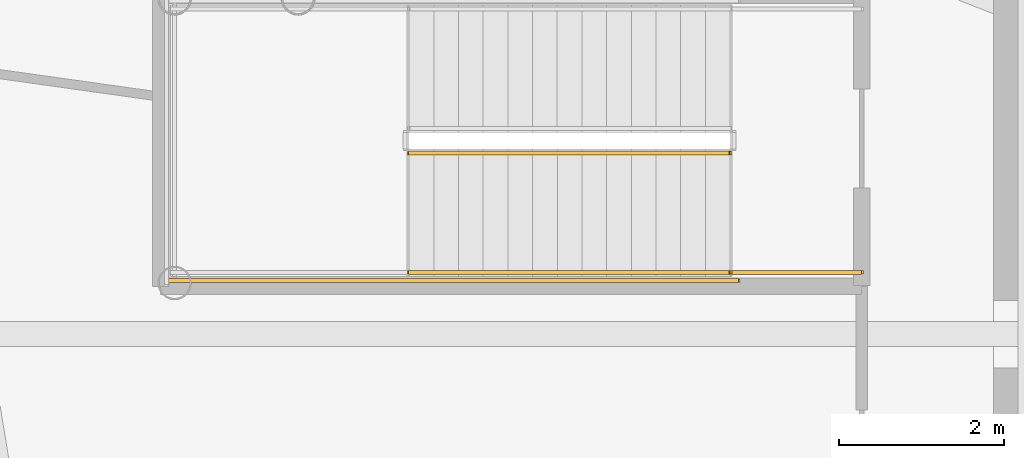
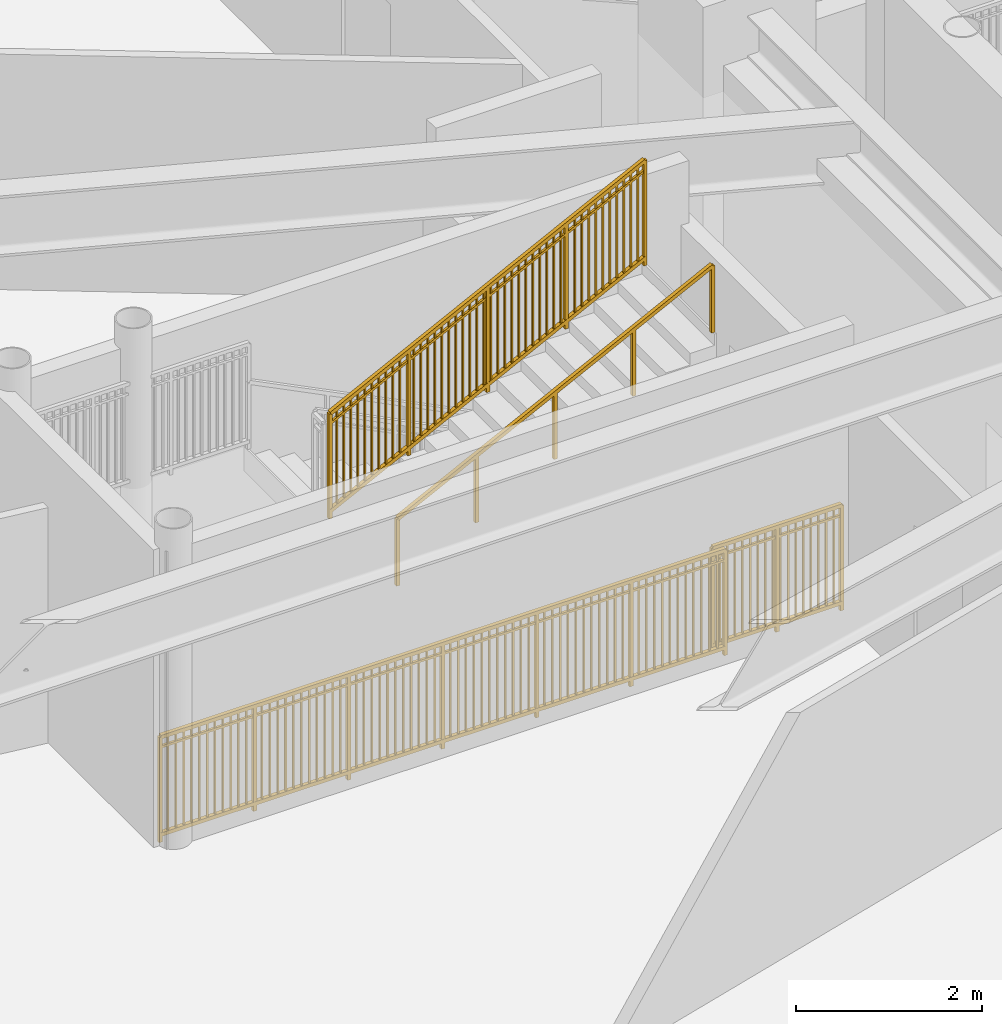
# One storey, part 19 of 27: 4 railings.
"""IFC4 building model written with IfcOpenShell, lengths in metres."""

from ifc_helpers import new_model, si_unit, direction, frame, origin, origin_2d, place, context, subcontext, project, spatial, rectangle, extrude, source, transform, mapped, material, type_object, element, save


model = new_model("IFC4")

# Units and contexts
model_context = context("Model", 3, precision=1e-05, world=origin(), true_north=direction((0.0, 1.0)))
body_context = subcontext(model_context, "Body", "Model", "MODEL_VIEW")
ifc_project = project(units=[si_unit("LENGTHUNIT", "METRE"), si_unit("AREAUNIT", "SQUARE_METRE"), si_unit("VOLUMEUNIT", "CUBIC_METRE"), si_unit("PLANEANGLEUNIT", "RADIAN"), si_unit("MASSUNIT", "GRAM", prefix="KILO")], contexts=[model_context])

# Site, building, storey
site_placement = place(None, origin())
site = spatial("IfcSite", under=ifc_project, at=site_placement, CompositionType="ELEMENT")
building_placement = place(site_placement, origin())
building = spatial("IfcBuilding", under=site, at=building_placement, Name="Linh Dai School and Residence Tower", CompositionType="ELEMENT")
storey_placement = place(building_placement, frame((0.0, 0.0, 14.39990234375)))
storey = spatial("IfcBuildingStorey", under=building, at=storey_placement, Name="L03", CompositionType="ELEMENT", Elevation=14.39990234375)

# Railings
ifc_material_1 = material(Name="Structural Steel S355JR", Category="steel")
railing_type_1 = type_object("IfcRailingType", Name="RL-ST-GUARD-1400", PredefinedType="GUARDRAIL", material=ifc_material_1)
shared_shape_1 = source(origin(), body_context, "Body", "SweptSolid", [
    extrude(rectangle(XDim=0.048095703125, YDim=0.048095703125, at=origin_2d()), frame((0.0, 0.0, 1.3759765625), z_axis=(-1.0, 0.0, 0.0), x_axis=(0.0, -1.0, 0.0)), (0.0, 0.0, 1.0), 1.60009765625),
    extrude(rectangle(XDim=0.048095703125, YDim=0.048095703125, at=origin_2d()), frame((0.0, 0.0, 0.10009765625), z_axis=(-1.0, 0.0, 0.0), x_axis=(0.0, -1.0, 0.0)), (0.0, 0.0, 1.0), 1.60009765625),
    extrude(rectangle(XDim=0.030029296875, YDim=0.030029296875, at=origin_2d()), frame((0.0, 0.0, 1.239990234375), z_axis=(-1.0, 0.0, 0.0), x_axis=(0.0, -1.0, 0.0)), (0.0, 0.0, 1.0), 1.60009765625),
    extrude(rectangle(XDim=0.02001953125, YDim=0.02001953125, at=origin_2d()), frame((-0.09423828125, 0.0, 0.10009765625)), (0.0, 0.0, 1.0), 1.251708984375),
    extrude(rectangle(XDim=0.02001953125, YDim=0.02001953125, at=origin_2d()), frame((-0.188232421875, 0.0, 0.10009765625)), (0.0, 0.0, 1.0), 1.251708984375),
    extrude(rectangle(XDim=0.02001953125, YDim=0.02001953125, at=origin_2d()), frame((-0.282470703125, 0.0, 0.10009765625)), (0.0, 0.0, 1.0), 1.251708984375),
    extrude(rectangle(XDim=0.02001953125, YDim=0.02001953125, at=origin_2d()), frame((-0.37646484375, 0.0, 0.10009765625)), (0.0, 0.0, 1.0), 1.251708984375),
    extrude(rectangle(XDim=0.02001953125, YDim=0.02001953125, at=origin_2d()), frame((-0.470703125, 0.0, 0.10009765625)), (0.0, 0.0, 1.0), 1.251708984375),
    extrude(rectangle(XDim=0.02001953125, YDim=0.02001953125, at=origin_2d()), frame((-0.564697265625, 0.0, 0.10009765625)), (0.0, 0.0, 1.0), 1.251708984375),
    extrude(rectangle(XDim=0.02001953125, YDim=0.02001953125, at=origin_2d()), frame((-0.658935546875, 0.0, 0.10009765625)), (0.0, 0.0, 1.0), 1.251708984375),
    extrude(rectangle(XDim=0.02001953125, YDim=0.02001953125, at=origin_2d()), frame((-0.7529296875, 0.0, 0.10009765625)), (0.0, 0.0, 1.0), 1.251708984375),
    extrude(rectangle(XDim=0.02001953125, YDim=0.02001953125, at=origin_2d()), frame((-0.84716796875, 0.0, 0.10009765625)), (0.0, 0.0, 1.0), 1.251708984375),
    extrude(rectangle(XDim=0.02001953125, YDim=0.02001953125, at=origin_2d()), frame((-0.941162109375, 0.0, 0.10009765625)), (0.0, 0.0, 1.0), 1.251708984375),
    extrude(rectangle(XDim=0.02001953125, YDim=0.02001953125, at=origin_2d()), frame((-1.035400390625, 0.0, 0.10009765625)), (0.0, 0.0, 1.0), 1.251708984375),
    extrude(rectangle(XDim=0.02001953125, YDim=0.02001953125, at=origin_2d()), frame((-1.12939453125, 0.0, 0.10009765625)), (0.0, 0.0, 1.0), 1.251708984375),
    extrude(rectangle(XDim=0.02001953125, YDim=0.02001953125, at=origin_2d()), frame((-1.2236328125, 0.0, 0.10009765625)), (0.0, 0.0, 1.0), 1.251708984375),
    extrude(rectangle(XDim=0.02001953125, YDim=0.02001953125, at=origin_2d()), frame((-1.317626953125, 0.0, 0.10009765625)), (0.0, 0.0, 1.0), 1.251708984375),
    extrude(rectangle(XDim=0.02001953125, YDim=0.02001953125, at=origin_2d()), frame((-1.411865234375, 0.0, 0.10009765625)), (0.0, 0.0, 1.0), 1.251708984375),
    extrude(rectangle(XDim=0.02001953125, YDim=0.02001953125, at=origin_2d()), frame((-1.505859375, 0.0, 0.10009765625)), (0.0, 0.0, 1.0), 1.251708984375),
    extrude(rectangle(XDim=0.0419921875, YDim=0.0419921875, at=origin_2d()), origin(), (0.0, 0.0, 1.0), 1.3759765625),
    extrude(rectangle(XDim=0.0419921875, YDim=0.0419921875, at=origin_2d()), frame((-0.800048828125, 0.0, 0.0)), (0.0, 0.0, 1.0), 1.3759765625),
    extrude(rectangle(XDim=0.0419921875, YDim=0.0419921875, at=origin_2d()), frame((-1.60009765625, 0.0, 0.0)), (0.0, 0.0, 1.0), 1.3759765625),
])
railing_1_placement = place(storey_placement, frame((24.0, 27.75, 0.0)))
element("IfcRailing", 1, at=railing_1_placement, inside=storey, type_object=railing_type_1, Name="L03 STS1 stair guard 9", PredefinedType="GUARDRAIL", context=body_context, shape_type="MappedRepresentation", body=[
    mapped(shared_shape_1, transform((0.0, 0.0, 0.0), x_axis=(1.0, 0.0, 0.0), y_axis=(0.0, 1.0, 0.0), z_axis=(0.0, 0.0, 1.0), scale=1.0)),
])
shared_shape_2 = source(origin(), body_context, "Body", "SweptSolid", [
    extrude(rectangle(XDim=0.048095703125, YDim=0.048095703125, at=origin_2d()), frame((0.0, 0.0, 1.3759765625), z_axis=(-1.0, 0.0, 0.0), x_axis=(0.0, -1.0, 0.0)), (0.0, 0.0, 1.0), 7.0),
    extrude(rectangle(XDim=0.048095703125, YDim=0.048095703125, at=origin_2d()), frame((0.0, 0.0, 0.10009765625), z_axis=(-1.0, 0.0, 0.0), x_axis=(0.0, -1.0, 0.0)), (0.0, 0.0, 1.0), 7.0),
    extrude(rectangle(XDim=0.030029296875, YDim=0.030029296875, at=origin_2d()), frame((0.0, 0.0, 1.239990234375), z_axis=(-1.0, 0.0, 0.0), x_axis=(0.0, -1.0, 0.0)), (0.0, 0.0, 1.0), 7.0),
    extrude(rectangle(XDim=0.02001953125, YDim=0.02001953125, at=origin_2d()), frame((-0.09716796875, 0.0, 0.10009765625)), (0.0, 0.0, 1.0), 1.251708984375),
    extrude(rectangle(XDim=0.02001953125, YDim=0.02001953125, at=origin_2d()), frame((-0.1943359375, 0.0, 0.10009765625)), (0.0, 0.0, 1.0), 1.251708984375),
    extrude(rectangle(XDim=0.02001953125, YDim=0.02001953125, at=origin_2d()), frame((-0.291748046875, 0.0, 0.10009765625)), (0.0, 0.0, 1.0), 1.251708984375),
    extrude(rectangle(XDim=0.02001953125, YDim=0.02001953125, at=origin_2d()), frame((-0.388916015625, 0.0, 0.10009765625)), (0.0, 0.0, 1.0), 1.251708984375),
    extrude(rectangle(XDim=0.02001953125, YDim=0.02001953125, at=origin_2d()), frame((-0.486083984375, 0.0, 0.10009765625)), (0.0, 0.0, 1.0), 1.251708984375),
    extrude(rectangle(XDim=0.02001953125, YDim=0.02001953125, at=origin_2d()), frame((-0.583251953125, 0.0, 0.10009765625)), (0.0, 0.0, 1.0), 1.251708984375),
    extrude(rectangle(XDim=0.02001953125, YDim=0.02001953125, at=origin_2d()), frame((-0.6806640625, 0.0, 0.10009765625)), (0.0, 0.0, 1.0), 1.251708984375),
    extrude(rectangle(XDim=0.02001953125, YDim=0.02001953125, at=origin_2d()), frame((-0.77783203125, 0.0, 0.10009765625)), (0.0, 0.0, 1.0), 1.251708984375),
    extrude(rectangle(XDim=0.02001953125, YDim=0.02001953125, at=origin_2d()), frame((-0.875, 0.0, 0.10009765625)), (0.0, 0.0, 1.0), 1.251708984375),
    extrude(rectangle(XDim=0.02001953125, YDim=0.02001953125, at=origin_2d()), frame((-0.97216796875, 0.0, 0.10009765625)), (0.0, 0.0, 1.0), 1.251708984375),
    extrude(rectangle(XDim=0.02001953125, YDim=0.02001953125, at=origin_2d()), frame((-1.0693359375, 0.0, 0.10009765625)), (0.0, 0.0, 1.0), 1.251708984375),
    extrude(rectangle(XDim=0.02001953125, YDim=0.02001953125, at=origin_2d()), frame((-1.263916015625, 0.0, 0.10009765625)), (0.0, 0.0, 1.0), 1.251708984375),
    extrude(rectangle(XDim=0.02001953125, YDim=0.02001953125, at=origin_2d()), frame((-1.361083984375, 0.0, 0.10009765625)), (0.0, 0.0, 1.0), 1.251708984375),
    extrude(rectangle(XDim=0.02001953125, YDim=0.02001953125, at=origin_2d()), frame((-1.458251953125, 0.0, 0.10009765625)), (0.0, 0.0, 1.0), 1.251708984375),
    extrude(rectangle(XDim=0.02001953125, YDim=0.02001953125, at=origin_2d()), frame((-1.5556640625, 0.0, 0.10009765625)), (0.0, 0.0, 1.0), 1.251708984375),
    extrude(rectangle(XDim=0.02001953125, YDim=0.02001953125, at=origin_2d()), frame((-1.65283203125, 0.0, 0.10009765625)), (0.0, 0.0, 1.0), 1.251708984375),
    extrude(rectangle(XDim=0.02001953125, YDim=0.02001953125, at=origin_2d()), frame((-1.75, 0.0, 0.10009765625)), (0.0, 0.0, 1.0), 1.251708984375),
    extrude(rectangle(XDim=0.02001953125, YDim=0.02001953125, at=origin_2d()), frame((-1.84716796875, 0.0, 0.10009765625)), (0.0, 0.0, 1.0), 1.251708984375),
    extrude(rectangle(XDim=0.02001953125, YDim=0.02001953125, at=origin_2d()), frame((-1.9443359375, 0.0, 0.10009765625)), (0.0, 0.0, 1.0), 1.251708984375),
    extrude(rectangle(XDim=0.02001953125, YDim=0.02001953125, at=origin_2d()), frame((-2.041748046875, 0.0, 0.10009765625)), (0.0, 0.0, 1.0), 1.251708984375),
    extrude(rectangle(XDim=0.02001953125, YDim=0.02001953125, at=origin_2d()), frame((-2.138916015625, 0.0, 0.10009765625)), (0.0, 0.0, 1.0), 1.251708984375),
    extrude(rectangle(XDim=0.02001953125, YDim=0.02001953125, at=origin_2d()), frame((-2.236083984375, 0.0, 0.10009765625)), (0.0, 0.0, 1.0), 1.251708984375),
    extrude(rectangle(XDim=0.02001953125, YDim=0.02001953125, at=origin_2d()), frame((-2.4306640625, 0.0, 0.10009765625)), (0.0, 0.0, 1.0), 1.251708984375),
    extrude(rectangle(XDim=0.02001953125, YDim=0.02001953125, at=origin_2d()), frame((-2.52783203125, 0.0, 0.10009765625)), (0.0, 0.0, 1.0), 1.251708984375),
    extrude(rectangle(XDim=0.02001953125, YDim=0.02001953125, at=origin_2d()), frame((-2.625, 0.0, 0.10009765625)), (0.0, 0.0, 1.0), 1.251708984375),
    extrude(rectangle(XDim=0.02001953125, YDim=0.02001953125, at=origin_2d()), frame((-2.72216796875, 0.0, 0.10009765625)), (0.0, 0.0, 1.0), 1.251708984375),
    extrude(rectangle(XDim=0.02001953125, YDim=0.02001953125, at=origin_2d()), frame((-2.8193359375, 0.0, 0.10009765625)), (0.0, 0.0, 1.0), 1.251708984375),
    extrude(rectangle(XDim=0.02001953125, YDim=0.02001953125, at=origin_2d()), frame((-2.916748046875, 0.0, 0.10009765625)), (0.0, 0.0, 1.0), 1.251708984375),
    extrude(rectangle(XDim=0.02001953125, YDim=0.02001953125, at=origin_2d()), frame((-3.013916015625, 0.0, 0.10009765625)), (0.0, 0.0, 1.0), 1.251708984375),
    extrude(rectangle(XDim=0.02001953125, YDim=0.02001953125, at=origin_2d()), frame((-3.111083984375, 0.0, 0.10009765625)), (0.0, 0.0, 1.0), 1.251708984375),
    extrude(rectangle(XDim=0.02001953125, YDim=0.02001953125, at=origin_2d()), frame((-3.208251953125, 0.0, 0.10009765625)), (0.0, 0.0, 1.0), 1.251708984375),
    extrude(rectangle(XDim=0.02001953125, YDim=0.02001953125, at=origin_2d()), frame((-3.3056640625, 0.0, 0.10009765625)), (0.0, 0.0, 1.0), 1.251708984375),
    extrude(rectangle(XDim=0.02001953125, YDim=0.02001953125, at=origin_2d()), frame((-3.40283203125, 0.0, 0.10009765625)), (0.0, 0.0, 1.0), 1.251708984375),
    extrude(rectangle(XDim=0.02001953125, YDim=0.02001953125, at=origin_2d()), frame((-3.59716796875, 0.0, 0.10009765625)), (0.0, 0.0, 1.0), 1.251708984375),
    extrude(rectangle(XDim=0.02001953125, YDim=0.02001953125, at=origin_2d()), frame((-3.6943359375, 0.0, 0.10009765625)), (0.0, 0.0, 1.0), 1.251708984375),
    extrude(rectangle(XDim=0.02001953125, YDim=0.02001953125, at=origin_2d()), frame((-3.791748046875, 0.0, 0.10009765625)), (0.0, 0.0, 1.0), 1.251708984375),
    extrude(rectangle(XDim=0.02001953125, YDim=0.02001953125, at=origin_2d()), frame((-3.888916015625, 0.0, 0.10009765625)), (0.0, 0.0, 1.0), 1.251708984375),
    extrude(rectangle(XDim=0.02001953125, YDim=0.02001953125, at=origin_2d()), frame((-3.986083984375, 0.0, 0.10009765625)), (0.0, 0.0, 1.0), 1.251708984375),
    extrude(rectangle(XDim=0.02001953125, YDim=0.02001953125, at=origin_2d()), frame((-4.083251953125, 0.0, 0.10009765625)), (0.0, 0.0, 1.0), 1.251708984375),
    extrude(rectangle(XDim=0.02001953125, YDim=0.02001953125, at=origin_2d()), frame((-4.1806640625, 0.0, 0.10009765625)), (0.0, 0.0, 1.0), 1.251708984375),
    extrude(rectangle(XDim=0.02001953125, YDim=0.02001953125, at=origin_2d()), frame((-4.27783203125, 0.0, 0.10009765625)), (0.0, 0.0, 1.0), 1.251708984375),
    extrude(rectangle(XDim=0.02001953125, YDim=0.02001953125, at=origin_2d()), frame((-4.375, 0.0, 0.10009765625)), (0.0, 0.0, 1.0), 1.251708984375),
    extrude(rectangle(XDim=0.02001953125, YDim=0.02001953125, at=origin_2d()), frame((-4.47216796875, 0.0, 0.10009765625)), (0.0, 0.0, 1.0), 1.251708984375),
    extrude(rectangle(XDim=0.02001953125, YDim=0.02001953125, at=origin_2d()), frame((-4.5693359375, 0.0, 0.10009765625)), (0.0, 0.0, 1.0), 1.251708984375),
    extrude(rectangle(XDim=0.02001953125, YDim=0.02001953125, at=origin_2d()), frame((-4.763916015625, 0.0, 0.10009765625)), (0.0, 0.0, 1.0), 1.251708984375),
    extrude(rectangle(XDim=0.02001953125, YDim=0.02001953125, at=origin_2d()), frame((-4.861083984375, 0.0, 0.10009765625)), (0.0, 0.0, 1.0), 1.251708984375),
    extrude(rectangle(XDim=0.02001953125, YDim=0.02001953125, at=origin_2d()), frame((-4.958251953125, 0.0, 0.10009765625)), (0.0, 0.0, 1.0), 1.251708984375),
    extrude(rectangle(XDim=0.02001953125, YDim=0.02001953125, at=origin_2d()), frame((-5.0556640625, 0.0, 0.10009765625)), (0.0, 0.0, 1.0), 1.251708984375),
    extrude(rectangle(XDim=0.02001953125, YDim=0.02001953125, at=origin_2d()), frame((-5.15283203125, 0.0, 0.10009765625)), (0.0, 0.0, 1.0), 1.251708984375),
    extrude(rectangle(XDim=0.02001953125, YDim=0.02001953125, at=origin_2d()), frame((-5.25, 0.0, 0.10009765625)), (0.0, 0.0, 1.0), 1.251708984375),
    extrude(rectangle(XDim=0.02001953125, YDim=0.02001953125, at=origin_2d()), frame((-5.34716796875, 0.0, 0.10009765625)), (0.0, 0.0, 1.0), 1.251708984375),
    extrude(rectangle(XDim=0.02001953125, YDim=0.02001953125, at=origin_2d()), frame((-5.4443359375, 0.0, 0.10009765625)), (0.0, 0.0, 1.0), 1.251708984375),
    extrude(rectangle(XDim=0.02001953125, YDim=0.02001953125, at=origin_2d()), frame((-5.541748046875, 0.0, 0.10009765625)), (0.0, 0.0, 1.0), 1.251708984375),
    extrude(rectangle(XDim=0.02001953125, YDim=0.02001953125, at=origin_2d()), frame((-5.638916015625, 0.0, 0.10009765625)), (0.0, 0.0, 1.0), 1.251708984375),
    extrude(rectangle(XDim=0.02001953125, YDim=0.02001953125, at=origin_2d()), frame((-5.736083984375, 0.0, 0.10009765625)), (0.0, 0.0, 1.0), 1.251708984375),
    extrude(rectangle(XDim=0.02001953125, YDim=0.02001953125, at=origin_2d()), frame((-5.9306640625, 0.0, 0.10009765625)), (0.0, 0.0, 1.0), 1.251708984375),
    extrude(rectangle(XDim=0.02001953125, YDim=0.02001953125, at=origin_2d()), frame((-6.02783203125, 0.0, 0.10009765625)), (0.0, 0.0, 1.0), 1.251708984375),
    extrude(rectangle(XDim=0.02001953125, YDim=0.02001953125, at=origin_2d()), frame((-6.125, 0.0, 0.10009765625)), (0.0, 0.0, 1.0), 1.251708984375),
    extrude(rectangle(XDim=0.02001953125, YDim=0.02001953125, at=origin_2d()), frame((-6.22216796875, 0.0, 0.10009765625)), (0.0, 0.0, 1.0), 1.251708984375),
    extrude(rectangle(XDim=0.02001953125, YDim=0.02001953125, at=origin_2d()), frame((-6.3193359375, 0.0, 0.10009765625)), (0.0, 0.0, 1.0), 1.251708984375),
    extrude(rectangle(XDim=0.02001953125, YDim=0.02001953125, at=origin_2d()), frame((-6.416748046875, 0.0, 0.10009765625)), (0.0, 0.0, 1.0), 1.251708984375),
    extrude(rectangle(XDim=0.02001953125, YDim=0.02001953125, at=origin_2d()), frame((-6.513916015625, 0.0, 0.10009765625)), (0.0, 0.0, 1.0), 1.251708984375),
    extrude(rectangle(XDim=0.02001953125, YDim=0.02001953125, at=origin_2d()), frame((-6.611083984375, 0.0, 0.10009765625)), (0.0, 0.0, 1.0), 1.251708984375),
    extrude(rectangle(XDim=0.02001953125, YDim=0.02001953125, at=origin_2d()), frame((-6.708251953125, 0.0, 0.10009765625)), (0.0, 0.0, 1.0), 1.251708984375),
    extrude(rectangle(XDim=0.02001953125, YDim=0.02001953125, at=origin_2d()), frame((-6.8056640625, 0.0, 0.10009765625)), (0.0, 0.0, 1.0), 1.251708984375),
    extrude(rectangle(XDim=0.02001953125, YDim=0.02001953125, at=origin_2d()), frame((-6.90283203125, 0.0, 0.10009765625)), (0.0, 0.0, 1.0), 1.251708984375),
    extrude(rectangle(XDim=0.0419921875, YDim=0.0419921875, at=origin_2d()), origin(), (0.0, 0.0, 1.0), 1.3759765625),
    extrude(rectangle(XDim=0.0419921875, YDim=0.0419921875, at=origin_2d()), frame((-1.166748046875, 0.0, 0.0)), (0.0, 0.0, 1.0), 1.3759765625),
    extrude(rectangle(XDim=0.0419921875, YDim=0.0419921875, at=origin_2d()), frame((-2.333251953125, 0.0, 0.0)), (0.0, 0.0, 1.0), 1.3759765625),
    extrude(rectangle(XDim=0.0419921875, YDim=0.0419921875, at=origin_2d()), frame((-3.5, 0.0, 0.0)), (0.0, 0.0, 1.0), 1.3759765625),
    extrude(rectangle(XDim=0.0419921875, YDim=0.0419921875, at=origin_2d()), frame((-4.666748046875, 0.0, 0.0)), (0.0, 0.0, 1.0), 1.3759765625),
    extrude(rectangle(XDim=0.0419921875, YDim=0.0419921875, at=origin_2d()), frame((-5.833251953125, 0.0, 0.0)), (0.0, 0.0, 1.0), 1.3759765625),
    extrude(rectangle(XDim=0.0419921875, YDim=0.0419921875, at=origin_2d()), frame((-7.0, 0.0, 0.0)), (0.0, 0.0, 1.0), 1.3759765625),
])
railing_2_placement = place(storey_placement, frame((22.5, 27.64990234375, 0.0)))
element("IfcRailing", 2, at=railing_2_placement, inside=storey, type_object=railing_type_1, Name="L03 STS1 stair guard 11", PredefinedType="GUARDRAIL", context=body_context, shape_type="MappedRepresentation", body=[
    mapped(shared_shape_2, transform((0.0, 0.0, 0.0), x_axis=(1.0, 0.0, 0.0), y_axis=(0.0, 1.0, 0.0), z_axis=(0.0, 0.0, 1.0), scale=1.0)),
])
shared_shape_3 = source(origin(), body_context, "Body", "SweptSolid", [
    extrude(rectangle(XDim=0.048095703125, YDim=0.048095703125, at=origin_2d()), frame((0.0, 0.0, 1.3759765625), z_axis=(0.894404793364, 0.0, 0.447258387967), x_axis=(0.0, 1.0, 0.0)), (0.0, 0.0, 1.0), 4.3603515625),
    extrude(rectangle(XDim=0.048095703125, YDim=0.048095703125, at=origin_2d()), frame((0.0, 0.0, 0.10009765625), z_axis=(0.894404793364, 0.0, 0.447258387967), x_axis=(0.0, 1.0, 0.0)), (0.0, 0.0, 1.0), 4.3603515625),
    extrude(rectangle(XDim=0.030029296875, YDim=0.030029296875, at=origin_2d()), frame((0.0, 0.0, 1.239990234375), z_axis=(0.894404793364, 0.0, 0.447258387967), x_axis=(0.0, 1.0, 0.0)), (0.0, 0.0, 1.0), 4.3603515625),
    extrude(rectangle(XDim=0.02001953125, YDim=0.02001953125, at=origin_2d()), frame((0.086669921875, 0.0, 0.1435546875)), (0.0, 0.0, 1.0), 1.251708984375),
    extrude(rectangle(XDim=0.02001953125, YDim=0.02001953125, at=origin_2d()), frame((0.17333984375, 0.0, 0.186767578125)), (0.0, 0.0, 1.0), 1.251708984375),
    extrude(rectangle(XDim=0.02001953125, YDim=0.02001953125, at=origin_2d()), frame((0.260009765625, 0.0, 0.230224609375)), (0.0, 0.0, 1.0), 1.251708984375),
    extrude(rectangle(XDim=0.02001953125, YDim=0.02001953125, at=origin_2d()), frame((0.3466796875, 0.0, 0.2734375)), (0.0, 0.0, 1.0), 1.251708984375),
    extrude(rectangle(XDim=0.02001953125, YDim=0.02001953125, at=origin_2d()), frame((0.433349609375, 0.0, 0.31689453125)), (0.0, 0.0, 1.0), 1.251708984375),
    extrude(rectangle(XDim=0.02001953125, YDim=0.02001953125, at=origin_2d()), frame((0.52001953125, 0.0, 0.360107421875)), (0.0, 0.0, 1.0), 1.251708984375),
    extrude(rectangle(XDim=0.02001953125, YDim=0.02001953125, at=origin_2d()), frame((0.606689453125, 0.0, 0.403564453125)), (0.0, 0.0, 1.0), 1.251708984375),
    extrude(rectangle(XDim=0.02001953125, YDim=0.02001953125, at=origin_2d()), frame((0.693359375, 0.0, 0.44677734375)), (0.0, 0.0, 1.0), 1.251708984375),
    extrude(rectangle(XDim=0.02001953125, YDim=0.02001953125, at=origin_2d()), frame((0.780029296875, 0.0, 0.490234375)), (0.0, 0.0, 1.0), 1.251708984375),
    extrude(rectangle(XDim=0.02001953125, YDim=0.02001953125, at=origin_2d()), frame((0.86669921875, 0.0, 0.533447265625)), (0.0, 0.0, 1.0), 1.251708984375),
    extrude(rectangle(XDim=0.02001953125, YDim=0.02001953125, at=origin_2d()), frame((1.0400390625, 0.0, 0.6201171875)), (0.0, 0.0, 1.0), 1.251708984375),
    extrude(rectangle(XDim=0.02001953125, YDim=0.02001953125, at=origin_2d()), frame((1.126708984375, 0.0, 0.66357421875)), (0.0, 0.0, 1.0), 1.251708984375),
    extrude(rectangle(XDim=0.02001953125, YDim=0.02001953125, at=origin_2d()), frame((1.21337890625, 0.0, 0.706787109375)), (0.0, 0.0, 1.0), 1.251708984375),
    extrude(rectangle(XDim=0.02001953125, YDim=0.02001953125, at=origin_2d()), frame((1.300048828125, 0.0, 0.750244140625)), (0.0, 0.0, 1.0), 1.251708984375),
    extrude(rectangle(XDim=0.02001953125, YDim=0.02001953125, at=origin_2d()), frame((1.38671875, 0.0, 0.79345703125)), (0.0, 0.0, 1.0), 1.251708984375),
    extrude(rectangle(XDim=0.02001953125, YDim=0.02001953125, at=origin_2d()), frame((1.473388671875, 0.0, 0.8369140625)), (0.0, 0.0, 1.0), 1.251708984375),
    extrude(rectangle(XDim=0.02001953125, YDim=0.02001953125, at=origin_2d()), frame((1.56005859375, 0.0, 0.880126953125)), (0.0, 0.0, 1.0), 1.251708984375),
    extrude(rectangle(XDim=0.02001953125, YDim=0.02001953125, at=origin_2d()), frame((1.646728515625, 0.0, 0.923583984375)), (0.0, 0.0, 1.0), 1.251708984375),
    extrude(rectangle(XDim=0.02001953125, YDim=0.02001953125, at=origin_2d()), frame((1.7333984375, 0.0, 0.966796875)), (0.0, 0.0, 1.0), 1.251708984375),
    extrude(rectangle(XDim=0.02001953125, YDim=0.02001953125, at=origin_2d()), frame((1.820068359375, 0.0, 1.01025390625)), (0.0, 0.0, 1.0), 1.251708984375),
    extrude(rectangle(XDim=0.02001953125, YDim=0.02001953125, at=origin_2d()), frame((1.90673828125, 0.0, 1.053466796875)), (0.0, 0.0, 1.0), 1.251708984375),
    extrude(rectangle(XDim=0.02001953125, YDim=0.02001953125, at=origin_2d()), frame((1.9931640625, 0.0, 1.096923828125)), (0.0, 0.0, 1.0), 1.251708984375),
    extrude(rectangle(XDim=0.02001953125, YDim=0.02001953125, at=origin_2d()), frame((2.079833984375, 0.0, 1.14013671875)), (0.0, 0.0, 1.0), 1.251708984375),
    extrude(rectangle(XDim=0.02001953125, YDim=0.02001953125, at=origin_2d()), frame((2.16650390625, 0.0, 1.18359375)), (0.0, 0.0, 1.0), 1.251708984375),
    extrude(rectangle(XDim=0.02001953125, YDim=0.02001953125, at=origin_2d()), frame((2.253173828125, 0.0, 1.226806640625)), (0.0, 0.0, 1.0), 1.251708984375),
    extrude(rectangle(XDim=0.02001953125, YDim=0.02001953125, at=origin_2d()), frame((2.33984375, 0.0, 1.270263671875)), (0.0, 0.0, 1.0), 1.251708984375),
    extrude(rectangle(XDim=0.02001953125, YDim=0.02001953125, at=origin_2d()), frame((2.426513671875, 0.0, 1.3134765625)), (0.0, 0.0, 1.0), 1.251708984375),
    extrude(rectangle(XDim=0.02001953125, YDim=0.02001953125, at=origin_2d()), frame((2.51318359375, 0.0, 1.35693359375)), (0.0, 0.0, 1.0), 1.251708984375),
    extrude(rectangle(XDim=0.02001953125, YDim=0.02001953125, at=origin_2d()), frame((2.599853515625, 0.0, 1.400146484375)), (0.0, 0.0, 1.0), 1.251708984375),
    extrude(rectangle(XDim=0.02001953125, YDim=0.02001953125, at=origin_2d()), frame((2.6865234375, 0.0, 1.443603515625)), (0.0, 0.0, 1.0), 1.251708984375),
    extrude(rectangle(XDim=0.02001953125, YDim=0.02001953125, at=origin_2d()), frame((2.773193359375, 0.0, 1.48681640625)), (0.0, 0.0, 1.0), 1.251708984375),
    extrude(rectangle(XDim=0.02001953125, YDim=0.02001953125, at=origin_2d()), frame((2.85986328125, 0.0, 1.5302734375)), (0.0, 0.0, 1.0), 1.251708984375),
    extrude(rectangle(XDim=0.02001953125, YDim=0.02001953125, at=origin_2d()), frame((3.033203125, 0.0, 1.616943359375)), (0.0, 0.0, 1.0), 1.251708984375),
    extrude(rectangle(XDim=0.02001953125, YDim=0.02001953125, at=origin_2d()), frame((3.119873046875, 0.0, 1.66015625)), (0.0, 0.0, 1.0), 1.251708984375),
    extrude(rectangle(XDim=0.02001953125, YDim=0.02001953125, at=origin_2d()), frame((3.20654296875, 0.0, 1.70361328125)), (0.0, 0.0, 1.0), 1.251708984375),
    extrude(rectangle(XDim=0.02001953125, YDim=0.02001953125, at=origin_2d()), frame((3.293212890625, 0.0, 1.746826171875)), (0.0, 0.0, 1.0), 1.251708984375),
    extrude(rectangle(XDim=0.02001953125, YDim=0.02001953125, at=origin_2d()), frame((3.3798828125, 0.0, 1.790283203125)), (0.0, 0.0, 1.0), 1.251708984375),
    extrude(rectangle(XDim=0.02001953125, YDim=0.02001953125, at=origin_2d()), frame((3.466552734375, 0.0, 1.83349609375)), (0.0, 0.0, 1.0), 1.251708984375),
    extrude(rectangle(XDim=0.02001953125, YDim=0.02001953125, at=origin_2d()), frame((3.55322265625, 0.0, 1.876953125)), (0.0, 0.0, 1.0), 1.251708984375),
    extrude(rectangle(XDim=0.02001953125, YDim=0.02001953125, at=origin_2d()), frame((3.639892578125, 0.0, 1.920166015625)), (0.0, 0.0, 1.0), 1.251708984375),
    extrude(rectangle(XDim=0.02001953125, YDim=0.02001953125, at=origin_2d()), frame((3.7265625, 0.0, 1.963623046875)), (0.0, 0.0, 1.0), 1.251708984375),
    extrude(rectangle(XDim=0.02001953125, YDim=0.02001953125, at=origin_2d()), frame((3.813232421875, 0.0, 2.0068359375)), (0.0, 0.0, 1.0), 1.251708984375),
    extrude(rectangle(XDim=0.0419921875, YDim=0.0419921875, at=origin_2d()), origin(), (0.0, 0.0, 1.0), 1.3759765625),
    extrude(rectangle(XDim=0.0419921875, YDim=0.0419921875, at=origin_2d()), frame((0.97509765625, 0.0, 0.487548828125)), (0.0, 0.0, 1.0), 1.3759765625),
    extrude(rectangle(XDim=0.0419921875, YDim=0.0419921875, at=origin_2d()), frame((1.949951171875, 0.0, 0.97509765625)), (0.0, 0.0, 1.0), 1.3759765625),
    extrude(rectangle(XDim=0.0419921875, YDim=0.0419921875, at=origin_2d()), frame((2.9248046875, 0.0, 1.462646484375)), (0.0, 0.0, 1.0), 1.3759765625),
    extrude(rectangle(XDim=0.0419921875, YDim=0.0419921875, at=origin_2d()), frame((3.89990234375, 0.0, 1.9501953125)), (0.0, 0.0, 1.0), 1.3759765625),
])
railing_3_placement = place(storey_placement, frame((18.5, 29.199951171875, 2.25)))
element("IfcRailing", 3, at=railing_3_placement, inside=storey, type_object=railing_type_1, Name="L03 STS1 stair guard 6", PredefinedType="GUARDRAIL", context=body_context, shape_type="MappedRepresentation", body=[
    mapped(shared_shape_3, transform((0.0, 0.0, 0.0), x_axis=(1.0, 0.0, 0.0), y_axis=(0.0, 1.0, 0.0), z_axis=(0.0, 0.0, 1.0), scale=1.0)),
])
ifc_material_2 = material(Name="Brushed Stainless Steel Handrail", Category="steel")
railing_type_2 = type_object("IfcRailingType", Name="RL-ST-HANDRAIL-900", PredefinedType="HANDRAIL", material=ifc_material_2)
shared_shape_4 = source(origin(), body_context, "Body", "SweptSolid", [
    extrude(rectangle(XDim=0.048095703125, YDim=0.048095703125, at=origin_2d()), frame((0.0, 0.0, 0.8759765625), z_axis=(0.894404793364, 0.0, 0.447258387967), x_axis=(0.0, 1.0, 0.0)), (0.0, 0.0, 1.0), 4.3603515625),
    extrude(rectangle(XDim=0.0419921875, YDim=0.0419921875, at=origin_2d()), origin(), (0.0, 0.0, 1.0), 0.8759765625),
    extrude(rectangle(XDim=0.0419921875, YDim=0.0419921875, at=origin_2d()), frame((0.97509765625, 0.0, 0.487548828125)), (0.0, 0.0, 1.0), 0.8759765625),
    extrude(rectangle(XDim=0.0419921875, YDim=0.0419921875, at=origin_2d()), frame((1.949951171875, 0.0, 0.97509765625)), (0.0, 0.0, 1.0), 0.8759765625),
    extrude(rectangle(XDim=0.0419921875, YDim=0.0419921875, at=origin_2d()), frame((2.9248046875, 0.0, 1.462646484375)), (0.0, 0.0, 1.0), 0.8759765625),
    extrude(rectangle(XDim=0.0419921875, YDim=0.0419921875, at=origin_2d()), frame((3.89990234375, 0.0, 1.9501953125)), (0.0, 0.0, 1.0), 0.8759765625),
])
railing_4_placement = place(storey_placement, frame((18.5, 27.75, 2.25)))
element("IfcRailing", 4, at=railing_4_placement, inside=storey, type_object=railing_type_2, Name="L03 STS1 stair handrail 2", PredefinedType="HANDRAIL", context=body_context, shape_type="MappedRepresentation", body=[
    mapped(shared_shape_4, transform((0.0, 0.0, 0.0), x_axis=(1.0, 0.0, 0.0), y_axis=(0.0, 1.0, 0.0), z_axis=(0.0, 0.0, 1.0), scale=1.0)),
])

save(model, "model.ifc")
